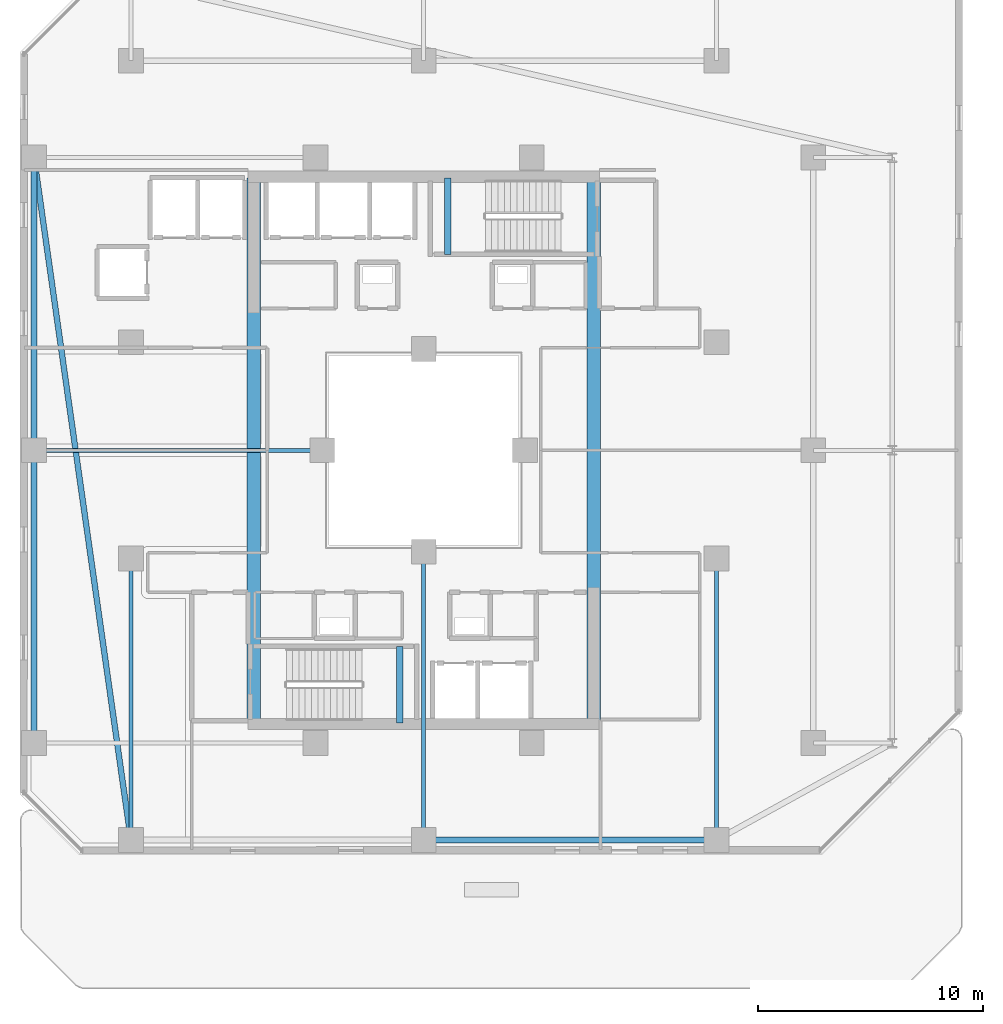
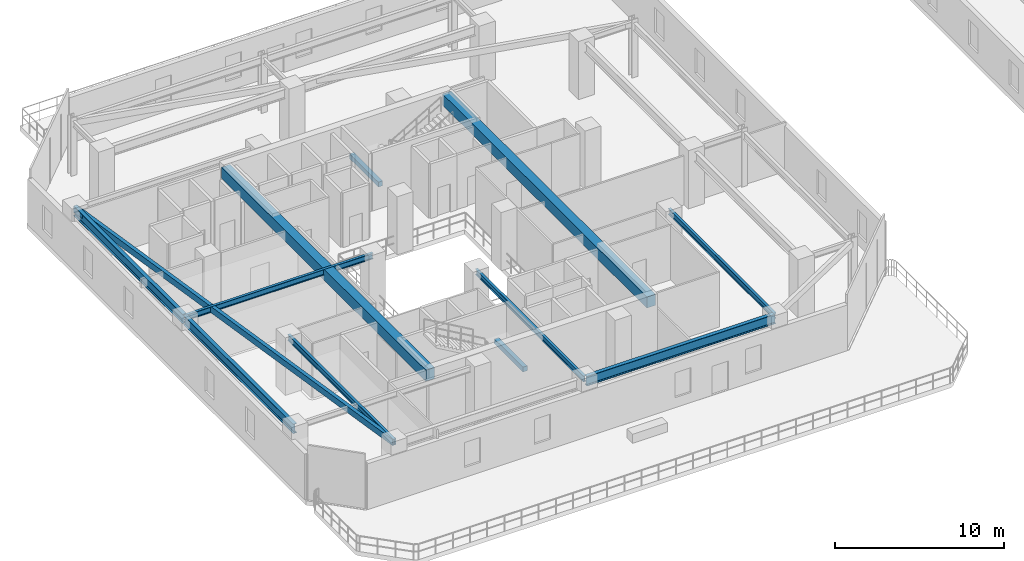
# One storey, part 4 of 33: 12 beams.
"""IFC4 building model written with IfcOpenShell, lengths in metres."""

import ifcopenshell
import ifcopenshell.guid

model = None  # the IFC model being written
_history = None  # IfcOwnerHistory: only IFC2X3 demands one
_inside = {}  # id of a spatial element -> (the spatial element, [elements in it])
_under = {}  # id of a project, library or spatial element -> (it, [spatial elements below it])
_declared = {}  # id of a project -> (the project, [libraries it declares])
_typed = {}  # id of a type object -> (the type object, [elements of that type])
_made_of = {}  # id of a material, layer set ... -> (it, [elements and type objects made of it])


def new_model(schema):
    """Start an empty IFC model of exactly this schema.

    Asked for "IFC4X3", IfcOpenShell would pick the latest addendum, in which some entities
    have other attributes; the version numbers below select the first issue.
    IFC2X3 requires an IfcOwnerHistory on every rooted entity: one is made here for all.
    """
    global model, _history
    if schema == "IFC4X3":
        model = ifcopenshell.file(schema_version=(4, 3, 0, 0))
    else:
        model = ifcopenshell.file(schema=schema)
    _inside.clear()
    _under.clear()
    _declared.clear()
    _typed.clear()
    _made_of.clear()
    _history = None
    if model.schema == "IFC2X3":
        org = make("IfcOrganization", Name="unknown")
        user = make(
            "IfcPersonAndOrganization",
            ThePerson=make("IfcPerson", FamilyName="unknown"),
            TheOrganization=org,
        )
        app = make(
            "IfcApplication",
            ApplicationDeveloper=org,
            Version="unknown",
            ApplicationFullName="unknown",
            ApplicationIdentifier="unknown",
        )
        _history = make(
            "IfcOwnerHistory",
            OwningUser=user,
            OwningApplication=app,
            ChangeAction="ADDED",
            CreationDate=0,
        )
    return model


def make(cls, **values):
    """One entity of the class cls with the attributes given. An attribute that is None is left unset."""
    return model.create_entity(
        cls, **{name: value for name, value in values.items() if value is not None}
    )


def rooted(cls, **values):
    """An entity with a GlobalId (a new one), such as an element, a storey or a relation."""
    return make(cls, GlobalId=ifcopenshell.guid.new(), OwnerHistory=_history, **values)


def si_unit(unit_type, name, prefix=None):
    """IfcSIUnit, for example si_unit("LENGTHUNIT", "METRE", prefix="MILLI")."""
    return make("IfcSIUnit", UnitType=unit_type, Prefix=prefix, Name=name)


def assignment(units):
    """IfcUnitAssignment: the units of a project."""
    return None if units is None else make("IfcUnitAssignment", Units=units)


def point(xyz):
    """IfcCartesianPoint."""
    return None if xyz is None else make("IfcCartesianPoint", Coordinates=xyz)


def direction(xyz):
    """IfcDirection."""
    return None if xyz is None else make("IfcDirection", DirectionRatios=xyz)


def frame(location, z_axis=None, x_axis=None):
    """IfcAxis2Placement3D, a coordinate frame: its origin and axes. An axis left out is left unset."""
    return make(
        "IfcAxis2Placement3D",
        Location=point(location),
        Axis=direction(z_axis),
        RefDirection=direction(x_axis),
    )


def frame_2d(location, x_axis=None):
    """IfcAxis2Placement2D, a coordinate frame in the plane: its origin and x axis."""
    return make(
        "IfcAxis2Placement2D", Location=point(location), RefDirection=direction(x_axis)
    )


def origin():
    """The frame at (0, 0, 0) with its axes left unset."""
    return frame((0.0, 0.0, 0.0))


def origin_2d():
    """The frame at (0, 0) in the plane with its x axis left unset."""
    return frame_2d((0.0, 0.0))


def place(relative_to, where):
    """IfcLocalPlacement: puts the frame where relative to a parent placement (None: the world)."""
    return make(
        "IfcLocalPlacement", PlacementRelTo=relative_to, RelativePlacement=where
    )


def context(
    kind, dimensions, precision=None, world=None, true_north=None, identifier=None
):
    """IfcGeometricRepresentationContext, for example the 3D "Model" context."""
    return make(
        "IfcGeometricRepresentationContext",
        ContextIdentifier=identifier,
        ContextType=kind,
        CoordinateSpaceDimension=dimensions,
        Precision=precision,
        WorldCoordinateSystem=world,
        TrueNorth=true_north,
    )


def subcontext(parent, identifier, kind, view, scale=None):
    """IfcGeometricRepresentationSubContext, for example "Body" below "Model"."""
    return make(
        "IfcGeometricRepresentationSubContext",
        ContextIdentifier=identifier,
        ContextType=kind,
        ParentContext=parent,
        TargetScale=scale,
        TargetView=view,
    )


def project(units=None, contexts=None):
    """IfcProject with its units and contexts."""
    return rooted(
        "IfcProject",
        Name="project",
        RepresentationContexts=contexts,
        UnitsInContext=assignment(units),
    )


def spatial(cls, under=None, at=None, **own):
    """A site, building, storey or space (cls), placed at a placement, below another one or the project."""
    s = rooted(cls, ObjectPlacement=at, **own)
    if under is not None:
        _under.setdefault(under.id(), (under, []))[1].append(s)
    return s


def profile(cls, at=None, kind="AREA", **sizes):
    """A parametric profile (cls). Its sizes go by their IFC names, for example OverallWidth=200.0."""
    return make(cls, ProfileType=kind, Position=at, **sizes)


def rectangle(**sizes):
    """IfcRectangleProfileDef."""
    return profile("IfcRectangleProfileDef", **sizes)


def hollow_rectangle(**sizes):
    """IfcRectangleHollowProfileDef."""
    return profile("IfcRectangleHollowProfileDef", **sizes)


def i_section(**sizes):
    """IfcIShapeProfileDef."""
    return profile("IfcIShapeProfileDef", **sizes)


def extrude(swept, where, along, depth):
    """IfcExtrudedAreaSolid: the profile swept, set in the frame where, extruded along a direction by depth."""
    return make(
        "IfcExtrudedAreaSolid",
        SweptArea=swept,
        Position=where,
        ExtrudedDirection=direction(along),
        Depth=depth,
    )


def shape(context_of_items, identifier, shape_type, items):
    """IfcShapeRepresentation: the items that make up one representation, for example the "Body"."""
    return make(
        "IfcShapeRepresentation",
        ContextOfItems=context_of_items,
        RepresentationIdentifier=identifier,
        RepresentationType=shape_type,
        Items=items,
    )


def material(Name=None, Category=None):
    """IfcMaterial."""
    return make("IfcMaterial", Name=Name, Category=Category)


def material_profile(
    of_material, cross_section, Name=None, Category=None, Priority=None
):
    """IfcMaterialProfile: a cross section and its material."""
    return make(
        "IfcMaterialProfile",
        Name=Name,
        Material=of_material,
        Profile=cross_section,
        Priority=Priority,
        Category=Category,
    )


def profile_set(profiles, Name=None, composite=None):
    """IfcMaterialProfileSet."""
    return make(
        "IfcMaterialProfileSet",
        Name=Name,
        MaterialProfiles=profiles,
        CompositeProfile=composite,
    )


def made_of(thing, what):
    """Note that an element or type object is made of a material, layer set ...; save() writes the relation."""
    if what is not None:
        _made_of.setdefault(what.id(), (what, []))[1].append(thing)
    return thing


def type_object(cls, material=None, **own):
    """A type object (cls), such as IfcWallType, which elements share."""
    return made_of(rooted(cls, **own), material)


def element(
    cls,
    number,
    at=None,
    inside=None,
    cuts=None,
    type_object=None,
    material=None,
    context=None,
    identifier="Body",
    shape_type=None,
    held_by="IfcProductDefinitionShape",
    body=None,
    shapes=None,
    **own,
):
    """One element of the class cls, such as IfcWall. Its Tag is "e" and its number.

    at: its placement. inside: the storey or other place that contains it. cuts: it is an
    opening in that element (IfcRelVoidsElement). A single representation is given by context,
    identifier, shape_type and body (its items); several are given by shapes. held_by: the class
    of the entity that holds the representations. save() writes the other relations.
    """
    e = rooted(cls, Tag="e%d" % number, ObjectPlacement=at, **own)
    if body is not None:
        shapes = [shape(context, identifier, shape_type, body)]
    if shapes is not None:
        e.Representation = make(held_by, Representations=shapes)
    if inside is not None:
        _inside.setdefault(inside.id(), (inside, []))[1].append(e)
    if cuts is not None:
        rooted(
            "IfcRelVoidsElement", RelatingBuildingElement=cuts, RelatedOpeningElement=e
        )
    if type_object is not None:
        _typed.setdefault(type_object.id(), (type_object, []))[1].append(e)
    return made_of(e, material)


def aggregate(whole, parts):
    """IfcRelAggregates: a whole, such as a stair, and the parts it consists of."""
    return rooted("IfcRelAggregates", RelatingObject=whole, RelatedObjects=parts)


def save(model, path):
    """Write the relations noted so far, then the file.

    IfcRelAggregates (storeys below a building ...), IfcRelContainedInSpatialStructure (elements
    in a storey), IfcRelDefinesByType, IfcRelAssociatesMaterial and IfcRelDeclares: one each for
    every whole, place, type object, material and project.
    """
    for whole, parts in _under.values():
        aggregate(whole, parts)
    for where, things in _inside.values():
        rooted(
            "IfcRelContainedInSpatialStructure",
            RelatedElements=things,
            RelatingStructure=where,
        )
    for kind, things in _typed.values():
        rooted("IfcRelDefinesByType", RelatedObjects=things, RelatingType=kind)
    for what, things in _made_of.values():
        rooted("IfcRelAssociatesMaterial", RelatedObjects=things, RelatingMaterial=what)
    for by, libraries in _declared.values():
        rooted("IfcRelDeclares", RelatingContext=by, RelatedDefinitions=libraries)
    model.write(path)


model = new_model("IFC4")

# Units and contexts
model_context = context("Model", 3, precision=1e-05, world=origin(), true_north=direction((0.0, 1.0)))
body_context = subcontext(model_context, "Body", "Model", "MODEL_VIEW")
ifc_project = project(units=[si_unit("LENGTHUNIT", "METRE"), si_unit("AREAUNIT", "SQUARE_METRE"), si_unit("VOLUMEUNIT", "CUBIC_METRE"), si_unit("PLANEANGLEUNIT", "RADIAN"), si_unit("MASSUNIT", "GRAM", prefix="KILO")], contexts=[model_context])

# Site, building, storey
site_placement = place(None, origin())
site = spatial("IfcSite", under=ifc_project, at=site_placement, CompositionType="ELEMENT")
building_placement = place(site_placement, origin())
building = spatial("IfcBuilding", under=site, at=building_placement, Name="Thornwick Lancets Civic Towers", CompositionType="ELEMENT")
storey_placement = place(building_placement, frame((0.0, 0.0, 174.300048828125)))
storey = spatial("IfcBuildingStorey", under=building, at=storey_placement, Name="L46", CompositionType="ELEMENT", Elevation=174.300048828125)

# Beams
ifc_material_1 = material(Name="Concrete C60/75", Category="concrete")
ifc_material_profile_1 = material_profile(ifc_material_1, rectangle(XDim=0.60009765625, YDim=0.800048828125, at=origin_2d()), Name="RC 600x800")
ifc_profile_set_1 = profile_set([ifc_material_profile_1], Name="Concrete C60/75")
beam_type_1 = type_object("IfcBeamType", Name="BM_COUP_RC800", PredefinedType="BEAM", material=ifc_profile_set_1)
for number, where, z_axis, x_axis, name in (
    (1, (33.050048828125, 14.89990234375, 3.56005859375), (0.0, 1.0, 0.0), (-1.0, 0.0, 0.0), "CB-L46-A1"),
    (2, (17.949951171875, 14.89990234375, 3.56005859375), (0.0, 1.0, 0.0), (-1.0, 0.0, 0.0), "CB-L46-A2"),
):
    element("IfcBeam", number, at=place(storey_placement, frame(where, z_axis=z_axis, x_axis=x_axis)), inside=storey, type_object=beam_type_1, Name=name, PredefinedType="BEAM", context=body_context, shape_type="SweptSolid", body=[
        extrude(rectangle(XDim=0.60009765625, YDim=0.800048828125, at=origin_2d()), origin(), (0.0, 0.0, 1.0), 24.2001953125),
    ])
ifc_material_2 = material(Name="Steel S355JR", Category="steel")
ifc_material_profile_2 = material_profile(ifc_material_2, i_section(OverallWidth=0.255859375, OverallDepth=0.69287109375, WebThickness=0.014404296875, FlangeThickness=0.023681640625, FilletRadius=0.01513671875, at=origin_2d()), Name="UKB 686x254x170")
ifc_profile_set_2 = profile_set([ifc_material_profile_2], Name="Steel S355JR")
beam_type_2 = type_object("IfcBeamType", Name="BM_GIRD_686_170", PredefinedType="BEAM", material=ifc_profile_set_2)
beam_1_placement = place(storey_placement, frame((25.580078125, 9.699951171875, 3.613525390625), z_axis=(1.0, 0.0, 0.0), x_axis=(0.0, 1.0, 0.0)))
element("IfcBeam", 3, at=beam_1_placement, inside=storey, type_object=beam_type_2, Name="BM-SPINE-L46-A-1-2", PredefinedType="BEAM", context=body_context, shape_type="SweptSolid", body=[
    extrude(i_section(OverallWidth=0.255859375, OverallDepth=0.69287109375, WebThickness=0.014404296875, FlangeThickness=0.023681640625, FilletRadius=0.01513671875, at=origin_2d()), origin(), (0.0, 0.0, 1.0), 12.919921875),
])
beam_2_placement = place(storey_placement, frame((8.199951171875, 14.0, 3.613525390625), z_axis=(0.0, 1.0, 0.0), x_axis=(-1.0, 0.0, 0.0)))
element("IfcBeam", 4, at=beam_2_placement, inside=storey, type_object=beam_type_2, Name="BM-SPINE-L46-A-9-10", PredefinedType="BEAM", context=body_context, shape_type="SweptSolid", body=[
    extrude(i_section(OverallWidth=0.255859375, OverallDepth=0.69287109375, WebThickness=0.014404296875, FlangeThickness=0.023681640625, FilletRadius=0.01513671875, at=origin_2d()), origin(), (0.0, 0.0, 1.0), 13.0),
])
beam_3_placement = place(storey_placement, frame((8.199951171875, 27.080078125, 3.613525390625), z_axis=(0.0, 1.0, 0.0), x_axis=(-1.0, 0.0, 0.0)))
element("IfcBeam", 5, at=beam_3_placement, inside=storey, type_object=beam_type_2, Name="BM-SPINE-L46-A-10-11", PredefinedType="BEAM", context=body_context, shape_type="SweptSolid", body=[
    extrude(i_section(OverallWidth=0.255859375, OverallDepth=0.69287109375, WebThickness=0.014404296875, FlangeThickness=0.023681640625, FilletRadius=0.01513671875, at=origin_2d()), origin(), (0.0, 0.0, 1.0), 12.919921875),
])
ifc_material_profile_3 = material_profile(ifc_material_2, i_section(OverallWidth=0.179443359375, OverallDepth=0.412841796875, WebThickness=0.009521484375, FlangeThickness=0.01611328125, FilletRadius=0.01025390625, at=origin_2d()), Name="UKB 406x178x74")
ifc_profile_set_3 = profile_set([ifc_material_profile_3], Name="Steel S355JR")
beam_type_3 = type_object("IfcBeamType", Name="BM_JOIST_406_74", PredefinedType="JOIST", material=ifc_profile_set_3)
beam_4_placement = place(storey_placement, frame((12.5, 22.199951171875, 3.753662109375), z_axis=(0.0, -1.0, 0.0), x_axis=(1.0, 0.0, 0.0)))
element("IfcBeam", 6, at=beam_4_placement, inside=storey, type_object=beam_type_3, Name="BM-RADIN-L46-A01", PredefinedType="JOIST", context=body_context, shape_type="SweptSolid", body=[
    extrude(i_section(OverallWidth=0.179443359375, OverallDepth=0.412841796875, WebThickness=0.009521484375, FlangeThickness=0.01611328125, FilletRadius=0.01025390625, at=origin_2d()), origin(), (0.0, 0.0, 1.0), 12.5),
])
beam_5_placement = place(storey_placement, frame((25.5, 22.5, 3.753662109375), z_axis=(0.0, -1.0, 0.0), x_axis=(1.0, 0.0, 0.0)))
element("IfcBeam", 7, at=beam_5_placement, inside=storey, type_object=beam_type_3, Name="BM-RADIN-L46-A02", PredefinedType="JOIST", context=body_context, shape_type="SweptSolid", body=[
    extrude(i_section(OverallWidth=0.179443359375, OverallDepth=0.412841796875, WebThickness=0.009521484375, FlangeThickness=0.01611328125, FilletRadius=0.01025390625, at=origin_2d()), origin(), (0.0, 0.0, 1.0), 12.800048828125),
])
beam_6_placement = place(storey_placement, frame((38.5, 22.199951171875, 3.753662109375), z_axis=(0.0, -1.0, 0.0), x_axis=(1.0, 0.0, 0.0)))
element("IfcBeam", 8, at=beam_6_placement, inside=storey, type_object=beam_type_3, Name="BM-RADIN-L46-A03", PredefinedType="JOIST", context=body_context, shape_type="SweptSolid", body=[
    extrude(i_section(OverallWidth=0.179443359375, OverallDepth=0.412841796875, WebThickness=0.009521484375, FlangeThickness=0.01611328125, FilletRadius=0.01025390625, at=origin_2d()), origin(), (0.0, 0.0, 1.0), 12.5),
])
beam_7_placement = place(storey_placement, frame((21.0, 27.0, 3.753662109375), z_axis=(-1.0, 0.0, 0.0), x_axis=(0.0, -1.0, 0.0)))
element("IfcBeam", 9, at=beam_7_placement, inside=storey, type_object=beam_type_3, Name="BM-RADIN-L46-A11", PredefinedType="JOIST", context=body_context, shape_type="SweptSolid", body=[
    extrude(i_section(OverallWidth=0.179443359375, OverallDepth=0.412841796875, WebThickness=0.009521484375, FlangeThickness=0.01611328125, FilletRadius=0.01025390625, at=origin_2d()), origin(), (0.0, 0.0, 1.0), 12.800048828125),
])
ifc_material_profile_4 = material_profile(ifc_material_2, hollow_rectangle(XDim=0.25, YDim=0.449951171875, WallThickness=0.01611328125, at=origin_2d()), Name="RHS 450x250x16")
ifc_profile_set_4 = profile_set([ifc_material_profile_4], Name="Steel S355JR")
beam_type_4 = type_object("IfcBeamType", Name="BM_RING_RHS450", PredefinedType="BEAM", material=ifc_profile_set_4)
beam_8_placement = place(storey_placement, frame((8.199951171875, 40.0, 3.73486328125), z_axis=(0.140507712682, -0.990079584012, 0.0), x_axis=(0.990079584012, 0.140507712682, 0.0)))
element("IfcBeam", 10, at=beam_8_placement, inside=storey, type_object=beam_type_4, Name="BM-CHAMF-L46-A-C3", PredefinedType="BEAM", context=body_context, shape_type="SweptSolid", body=[
    extrude(hollow_rectangle(XDim=0.25, YDim=0.449951171875, WallThickness=0.01611328125, at=origin_2d()), origin(), (0.0, 0.0, 1.0), 30.603759765625),
])
ifc_material_3 = material(Name="Concrete C40/50", Category="concrete")
ifc_material_profile_5 = material_profile(ifc_material_3, rectangle(XDim=0.300048828125, YDim=0.35009765625, at=origin_2d()), Name="RC 300x350")
ifc_profile_set_5 = profile_set([ifc_material_profile_5], Name="Concrete C40/50")
beam_type_5 = type_object("IfcBeamType", Name="BM_STAIR_LDG", PredefinedType="BEAM", material=ifc_profile_set_5)
for number, where, z_axis, x_axis, name in (
    (11, (24.43505859375, 14.89990234375, 1.677978515625), (0.0, 1.0, 0.0), (-1.0, 0.0, 0.0), "L46 ST-A1 Landing Support Beam 1"),
    (12, (26.56494140625, 39.10009765625, 1.677978515625), (0.0, -1.0, 0.0), (1.0, 0.0, 0.0), "L46 ST-A2 Landing Support Beam 1"),
):
    element("IfcBeam", number, at=place(storey_placement, frame(where, z_axis=z_axis, x_axis=x_axis)), inside=storey, type_object=beam_type_5, Name=name, PredefinedType="BEAM", context=body_context, shape_type="SweptSolid", body=[
        extrude(rectangle(XDim=0.300048828125, YDim=0.35009765625, at=origin_2d()), origin(), (0.0, 0.0, 1.0), 3.400146484375),
    ])

save(model, "model.ifc")
